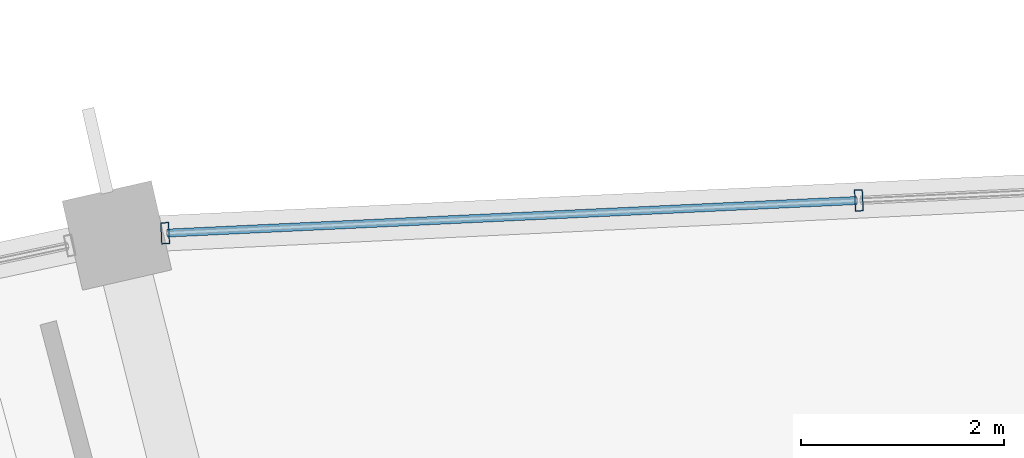
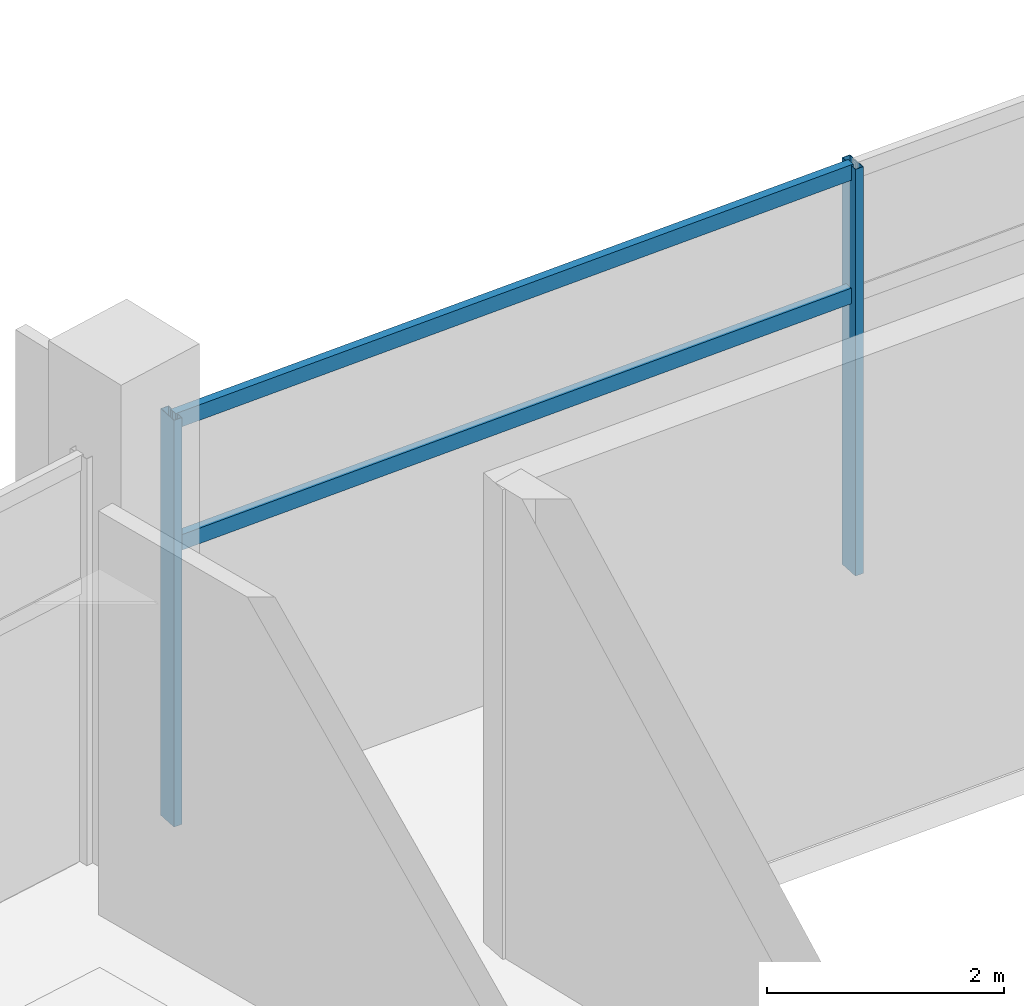
# One storey, part 118 of 184: 4 members, 1 element without a shape of its own.
"""IFC4 building model written with IfcOpenShell, lengths in metres."""

from ifc_helpers import new_model, si_unit, direction, frame, origin, origin_2d, place, context, subcontext, project, spatial, hollow_rectangle, extrude, material, layer, layer_set, material_profile, profile_set, type_object, element, aggregate, save


model = new_model("IFC4")

# Units and contexts
model_context = context("Model", 3, precision=1e-05, world=origin(), true_north=direction((0.0, 1.0)))
body_context = subcontext(model_context, "Body", "Model", "MODEL_VIEW")
ifc_project = project(units=[si_unit("LENGTHUNIT", "METRE"), si_unit("AREAUNIT", "SQUARE_METRE"), si_unit("VOLUMEUNIT", "CUBIC_METRE"), si_unit("PLANEANGLEUNIT", "RADIAN"), si_unit("MASSUNIT", "GRAM", prefix="KILO")], contexts=[model_context])

# Site, building, storey
site_placement = place(None, origin())
site = spatial("IfcSite", under=ifc_project, at=site_placement, CompositionType="ELEMENT")
building_placement = place(site_placement, origin())
building = spatial("IfcBuilding", under=site, at=building_placement, Name="Kazemori Nagisa Stadium", CompositionType="ELEMENT")
storey_placement = place(building_placement, frame((0.0, 0.0, 10.5400390625)))
storey = spatial("IfcBuildingStorey", under=building, at=storey_placement, Name="L02", CompositionType="ELEMENT", Elevation=10.5400390625)

# Curtain wall, members
ifc_material_1 = material(Name="Anodised aluminium 6063-T5", Category="aluminium")
ifc_layer = layer(ifc_material_1, 0.2099609375, Name="Anodised aluminium 6063-T5", Category="aluminium")
ifc_layer_set = layer_set([ifc_layer], Name="Anodised aluminium 6063-T5")
curtain_wall_type = type_object("IfcCurtainWallType", Name="CW_L02R3_103", PredefinedType="USERDEFINED", material=ifc_layer_set)
curtain_wall_placement = place(storey_placement, origin())
curtain_wall = element("IfcCurtainWall", 1, at=curtain_wall_placement, inside=storey, type_object=curtain_wall_type, Name="Unitised curtain wall CW-L02R3-103 L02", ObjectType="UNITISED CURTAIN WALL", PredefinedType="USERDEFINED")
ifc_material_2 = material(Name="Aluminium 6063-T5 anodised", Category="aluminium")
ifc_material_profile_1 = material_profile(ifc_material_2, hollow_rectangle(XDim=0.080078125, YDim=0.2099609375, WallThickness=0.0048828125, at=origin_2d()), Name="ALU-MULL-80x210x5")
ifc_profile_set_1 = profile_set([ifc_material_profile_1], Name="Aluminium 6063-T5 anodised")
member_type_1 = type_object("IfcMemberType", Name="Mullion_M02", PredefinedType="MULLION", material=ifc_profile_set_1)
member_1_placement = place(storey_placement, frame((108.873046875, 187.33203125, 0.0), z_axis=(0.0, 0.0, 1.0), x_axis=(-0.998884022476, -0.047230388971, 0.0)))
member_1 = element("IfcMember", 2, at=member_1_placement, type_object=member_type_1, Name="Curtain wall mullion CW-L02R3-103-M3", PredefinedType="MULLION", context=body_context, shape_type="SweptSolid", body=[
    extrude(hollow_rectangle(XDim=0.080078125, YDim=0.2099609375, WallThickness=0.0048828125, at=origin_2d()), origin(), (0.0, 0.0, 1.0), 4.18994140625),
])
member_2_placement = place(storey_placement, frame((102.046875, 187.00927734375, 0.0), z_axis=(0.0, 0.0, 1.0), x_axis=(-0.998884022476, -0.047230388971, 0.0)))
member_2 = element("IfcMember", 3, at=member_2_placement, type_object=member_type_1, Name="Curtain wall mullion CW-L02R3-103-M4", PredefinedType="MULLION", context=body_context, shape_type="SweptSolid", body=[
    extrude(hollow_rectangle(XDim=0.080078125, YDim=0.2099609375, WallThickness=0.0048828125, at=origin_2d()), origin(), (0.0, 0.0, 1.0), 4.18994140625),
])
ifc_material_profile_2 = material_profile(ifc_material_2, hollow_rectangle(XDim=0.080078125, YDim=0.159912109375, WallThickness=0.00390625, at=origin_2d()), Name="ALU-TRAN-80x160x4")
ifc_profile_set_2 = profile_set([ifc_material_profile_2], Name="Aluminium 6063-T5 anodised")
member_type_2 = type_object("IfcMemberType", Name="Transom_T02", PredefinedType="USERDEFINED", material=ifc_profile_set_2)
member_3_placement = place(storey_placement, frame((108.85302734375, 187.3310546875, 2.84912109375), z_axis=(-0.998884581669, -0.047218561007, 0.0), x_axis=(0.047218561007, -0.998884581669, 0.0)))
member_3 = element("IfcMember", 4, at=member_3_placement, type_object=member_type_2, Name="Curtain wall transom CW-L02R3-103-T3-mid", ObjectType="TRANSOM", PredefinedType="USERDEFINED", context=body_context, shape_type="SweptSolid", body=[
    extrude(hollow_rectangle(XDim=0.080078125, YDim=0.159912109375, WallThickness=0.00390625, at=origin_2d()), origin(), (0.0, 0.0, 1.0), 6.7939453125),
])
member_4_placement = place(storey_placement, frame((108.85302734375, 187.3310546875, 4.119873046875), z_axis=(-0.998884581669, -0.047218561007, 0.0), x_axis=(0.047218561007, -0.998884581669, 0.0)))
member_4 = element("IfcMember", 5, at=member_4_placement, type_object=member_type_2, Name="Curtain wall transom CW-L02R3-103-T3-head", ObjectType="TRANSOM", PredefinedType="USERDEFINED", context=body_context, shape_type="SweptSolid", body=[
    extrude(hollow_rectangle(XDim=0.080078125, YDim=0.159912109375, WallThickness=0.00390625, at=origin_2d()), origin(), (0.0, 0.0, 1.0), 6.7939453125),
])
aggregate(curtain_wall, [member_1, member_2, member_3, member_4])

save(model, "model.ifc")
